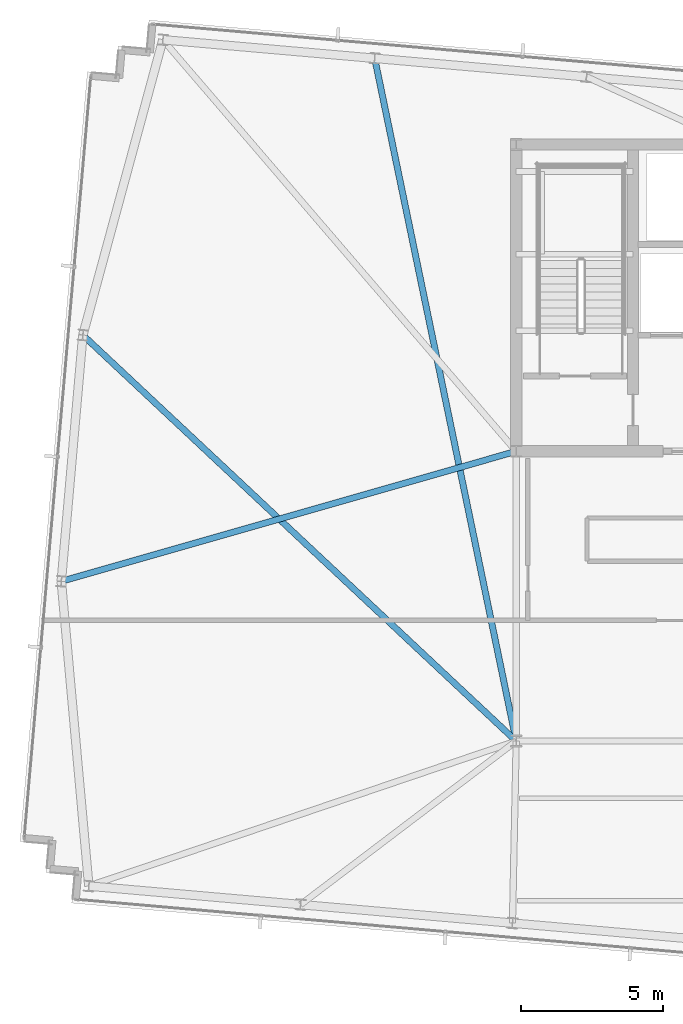
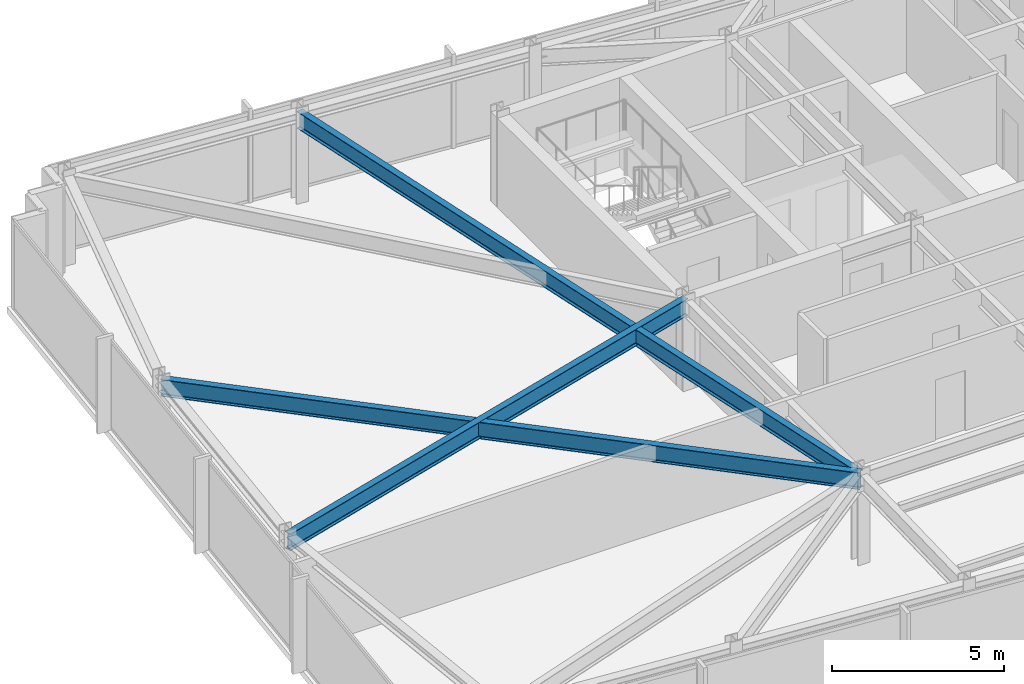
# One storey, part 10 of 32: 3 beams.
"""IFC4 building model written with IfcOpenShell, lengths in metres."""

from ifc_helpers import new_model, si_unit, direction, frame, origin, origin_2d, place, context, subcontext, project, spatial, i_section, extrude, material, material_profile, profile_set, type_object, element, save


model = new_model("IFC4")

# Units and contexts
model_context = context("Model", 3, precision=1e-05, world=origin(), true_north=direction((0.0, 1.0)))
body_context = subcontext(model_context, "Body", "Model", "MODEL_VIEW")
ifc_project = project(units=[si_unit("LENGTHUNIT", "METRE"), si_unit("AREAUNIT", "SQUARE_METRE"), si_unit("VOLUMEUNIT", "CUBIC_METRE"), si_unit("PLANEANGLEUNIT", "RADIAN"), si_unit("MASSUNIT", "GRAM", prefix="KILO")], contexts=[model_context])

# Site, building, storey
site_placement = place(None, origin())
site = spatial("IfcSite", under=ifc_project, at=site_placement, CompositionType="ELEMENT")
building_placement = place(site_placement, origin())
building = spatial("IfcBuilding", under=site, at=building_placement, Name="Yelkora Congress Tower", CompositionType="ELEMENT")
storey_placement = place(building_placement, frame((0.0, 0.0, 293.10009765625)))
storey = spatial("IfcBuildingStorey", under=building, at=storey_placement, Name="L82", CompositionType="ELEMENT", Elevation=293.10009765625)

# Beams
ifc_material = material(Name="Steel S355J2", Category="steel")
ifc_material_profile = material_profile(ifc_material, i_section(OverallWidth=0.219970703125, OverallDepth=0.60009765625, WebThickness=0.011962890625, FlangeThickness=0.01904296875, FilletRadius=0.02392578125, at=origin_2d()), Name="IPE 600")
ifc_profile_set = profile_set([ifc_material_profile], Name="Steel S355J2")
beam_type = type_object("IfcBeamType", Name="BM-GIRD-IPE600", PredefinedType="BEAM", material=ifc_profile_set)
beam_1_placement = place(storey_placement, frame((18.058837890625, 49.231689453125, 2.8798828125), z_axis=(0.202961834344, -0.979186649112, 0.0), x_axis=(0.979186649112, 0.202961834344, 0.0)))
element("IfcBeam", 1, at=beam_1_placement, inside=storey, type_object=beam_type, Name="L82 Primary Frame Girder N02", PredefinedType="BEAM", context=body_context, shape_type="SweptSolid", body=[
    extrude(i_section(OverallWidth=0.219970703125, OverallDepth=0.60009765625, WebThickness=0.011962890625, FlangeThickness=0.01904296875, FilletRadius=0.02392578125, at=origin_2d()), origin(), (0.0, 0.0, 1.0), 24.54248046875),
])
beam_2_placement = place(storey_placement, frame((7.029052734375, 30.822998046875, 2.8798828125), z_axis=(0.961486871307, 0.274850861932, 0.0), x_axis=(-0.274850861932, 0.961486871307, 0.0)))
element("IfcBeam", 2, at=beam_2_placement, inside=storey, type_object=beam_type, Name="L82 Primary Frame Girder W01", PredefinedType="BEAM", context=body_context, shape_type="SweptSolid", body=[
    extrude(i_section(OverallWidth=0.219970703125, OverallDepth=0.60009765625, WebThickness=0.011962890625, FlangeThickness=0.01904296875, FilletRadius=0.02392578125, at=origin_2d()), origin(), (0.0, 0.0, 1.0), 16.65234375),
])
beam_3_placement = place(storey_placement, frame((7.787353515625, 39.489990234375, 2.8798828125), z_axis=(0.729760461145, -0.683702910152, 0.0), x_axis=(0.683702910152, 0.729760461145, 0.0)))
element("IfcBeam", 3, at=beam_3_placement, inside=storey, type_object=beam_type, Name="L82 Primary Frame Girder W02", PredefinedType="BEAM", context=body_context, shape_type="SweptSolid", body=[
    extrude(i_section(OverallWidth=0.219970703125, OverallDepth=0.60009765625, WebThickness=0.011962890625, FlangeThickness=0.01904296875, FilletRadius=0.02392578125, at=origin_2d()), origin(), (0.0, 0.0, 1.0), 20.90087890625),
])

save(model, "model.ifc")
